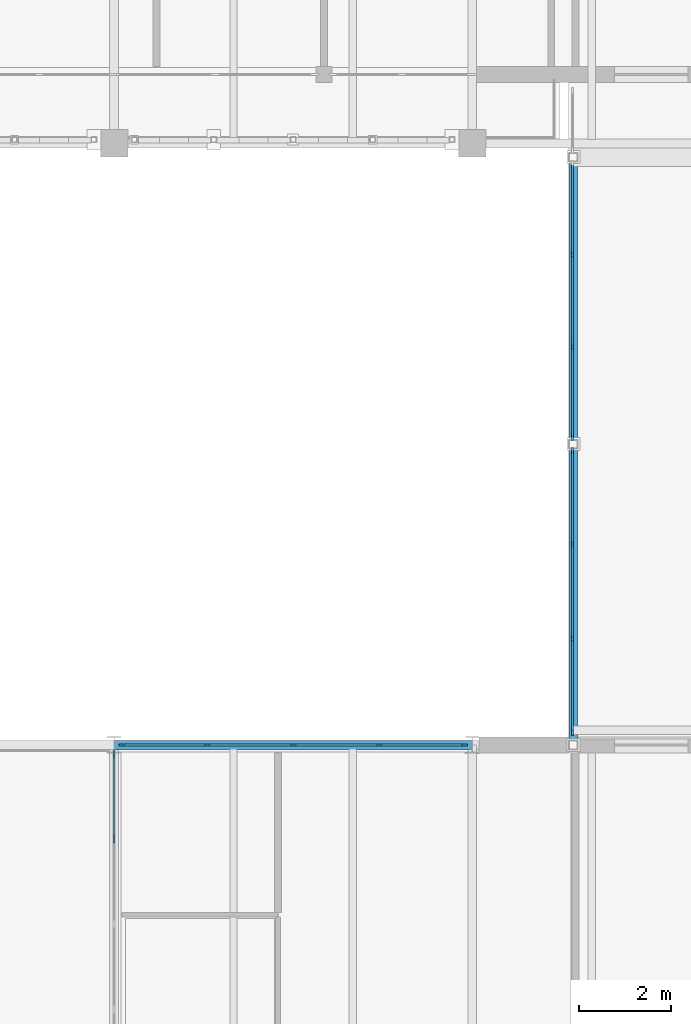
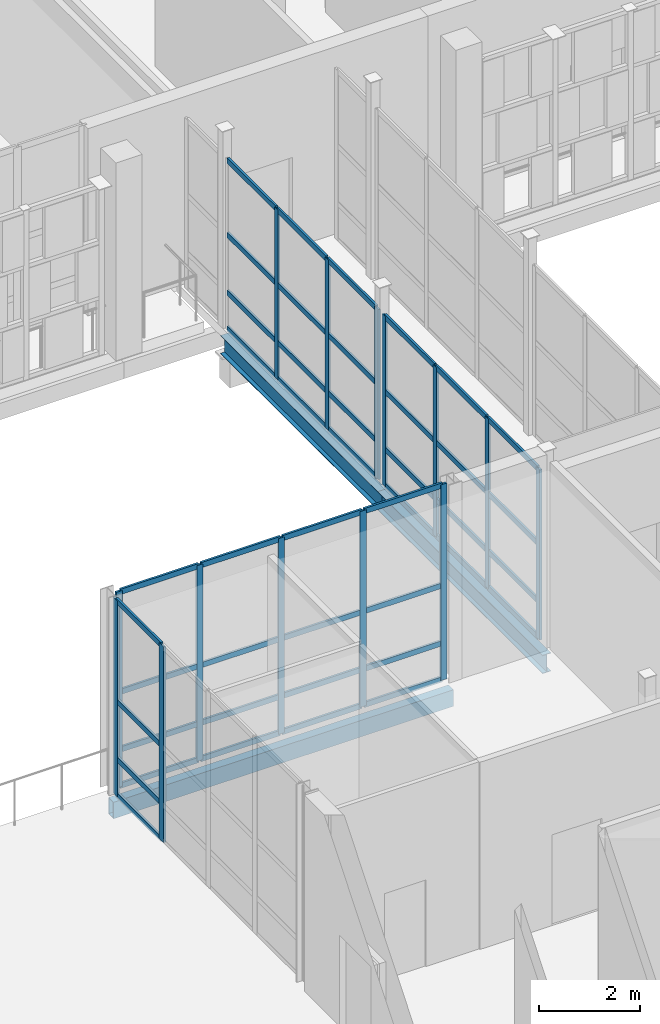
# One storey, part 67 of 138: 58 members, 3 beams, 4 elements without a shape of their own.
"""IFC4 building model written with IfcOpenShell, lengths in metres."""

from ifc_helpers import new_model, si_unit, direction, frame, origin, origin_2d, place, context, subcontext, project, spatial, rectangle, hollow_rectangle, i_section, extrude, material, layer, layer_set, material_profile, profile_set, type_object, element, aggregate, save


model = new_model("IFC4")

# Units and contexts
model_context = context("Model", 3, precision=1e-05, world=origin(), true_north=direction((0.0, 1.0)))
body_context = subcontext(model_context, "Body", "Model", "MODEL_VIEW")
ifc_project = project(units=[si_unit("LENGTHUNIT", "METRE"), si_unit("AREAUNIT", "SQUARE_METRE"), si_unit("VOLUMEUNIT", "CUBIC_METRE"), si_unit("PLANEANGLEUNIT", "RADIAN"), si_unit("MASSUNIT", "GRAM", prefix="KILO")], contexts=[model_context])

# Site, building, storey
site_placement = place(None, origin())
site = spatial("IfcSite", under=ifc_project, at=site_placement, CompositionType="ELEMENT")
building_placement = place(site_placement, origin())
building = spatial("IfcBuilding", under=site, at=building_placement, Name="Celorna Specialist Clinic", CompositionType="ELEMENT")
storey_placement = place(building_placement, frame((0.0, 0.0, 4.800048828125)))
storey = spatial("IfcBuildingStorey", under=building, at=storey_placement, Name="L01", CompositionType="ELEMENT", Elevation=4.800048828125)

# Beams
ifc_material_1 = material(Name="Steel S355", Category="steel")
ifc_material_profile_1 = material_profile(ifc_material_1, i_section(OverallWidth=0.18994140625, OverallDepth=0.449951171875, WebThickness=0.009521484375, FlangeThickness=0.0146484375, at=origin_2d()), Name="IPE 450")
ifc_profile_set_1 = profile_set([ifc_material_profile_1], Name="Steel S355")
beam_type_1 = type_object("IfcBeamType", Name="BM-09", PredefinedType="BEAM", material=ifc_profile_set_1)
beam_1_placement = place(storey_placement, frame((142.60009765625, 83.39990234375, -0.445068359375), z_axis=(0.0, 1.0, 0.0), x_axis=(-1.0, 0.0, 0.0)))
element("IfcBeam", 1, at=beam_1_placement, inside=storey, type_object=beam_type_1, Name="Bridge BR-05 edge girder BM-09 #116", PredefinedType="BEAM", context=body_context, shape_type="SweptSolid", body=[
    extrude(i_section(OverallWidth=0.18994140625, OverallDepth=0.449951171875, WebThickness=0.009521484375, FlangeThickness=0.0146484375, at=origin_2d()), origin(), (0.0, 0.0, 1.0), 6.550048828125),
])
beam_2_placement = place(storey_placement, frame((142.60009765625, 89.949951171875, -0.445068359375), z_axis=(0.0, 1.0, 0.0), x_axis=(-1.0, 0.0, 0.0)))
element("IfcBeam", 2, at=beam_2_placement, inside=storey, type_object=beam_type_1, Name="Bridge BR-05 edge girder BM-09 #117", PredefinedType="BEAM", context=body_context, shape_type="SweptSolid", body=[
    extrude(i_section(OverallWidth=0.18994140625, OverallDepth=0.449951171875, WebThickness=0.009521484375, FlangeThickness=0.0146484375, at=origin_2d()), origin(), (0.0, 0.0, 1.0), 6.25),
])
ifc_material_profile_2 = material_profile(ifc_material_1, hollow_rectangle(XDim=0.199951171875, YDim=0.39990234375, WallThickness=0.011962890625, at=origin_2d()), Name="RHS 200x400x12")
ifc_profile_set_2 = profile_set([ifc_material_profile_2], Name="Steel S355")
beam_type_2 = type_object("IfcBeamType", Name="BM-15", PredefinedType="SPANDREL", material=ifc_profile_set_2)
beam_3_placement = place(storey_placement, frame((132.60009765625, 83.39990234375, -0.4599609375), z_axis=(1.0, 0.0, 0.0), x_axis=(0.0, 1.0, 0.0)))
element("IfcBeam", 3, at=beam_3_placement, inside=storey, type_object=beam_type_2, Name="Spandrel beam BM-15 #624", PredefinedType="SPANDREL", context=body_context, shape_type="SweptSolid", body=[
    extrude(hollow_rectangle(XDim=0.199951171875, YDim=0.39990234375, WallThickness=0.011962890625, at=origin_2d()), origin(), (0.0, 0.0, 1.0), 7.7998046875),
])

# Curtain wall, members
ifc_material_2 = material(Name="Thermally broken aluminium and solar-control glass curtain wall", Category="aluminium")
ifc_layer_1 = layer(ifc_material_2, 0.159912109375, Name="Thermally broken aluminium and solar-control glass curtain wall")
ifc_layer_set_1 = layer_set([ifc_layer_1], Name="Thermally broken aluminium and solar-control glass curtain wall")
curtain_wall_type_1 = type_object("IfcCurtainWallType", Name="CW-45", PredefinedType="NOTDEFINED", material=ifc_layer_set_1)
curtain_wall_1_placement = place(storey_placement, origin())
curtain_wall_1 = element("IfcCurtainWall", 4, at=curtain_wall_1_placement, inside=storey, type_object=curtain_wall_type_1, Name="Curtain wall CW-45 #85", PredefinedType="NOTDEFINED")
ifc_material_3 = material(Name="Anodized aluminium mullion", Category="aluminium")
ifc_material_profile_3 = material_profile(ifc_material_3, rectangle(XDim=0.050048828125, YDim=0.179931640625, at=origin_2d()), Name="ALU MULLION 50x180")
ifc_profile_set_3 = profile_set([ifc_material_profile_3], Name="Anodized aluminium mullion")
member_type_1 = type_object("IfcMemberType", Name="ML-02", PredefinedType="MULLION", material=ifc_profile_set_3)
member_1_placement = place(storey_placement, frame((132.60009765625, 81.35791015625, 0.0), z_axis=(0.0, 0.0, 1.0), x_axis=(-1.0, 0.0, 0.0)))
member_1 = element("IfcMember", 5, at=member_1_placement, type_object=member_type_1, Name="CW-45 mullion 4", PredefinedType="MULLION", context=body_context, shape_type="SweptSolid", body=[
    extrude(rectangle(XDim=0.050048828125, YDim=0.179931640625, at=origin_2d()), origin(), (0.0, 0.0, 1.0), 4.75),
])
member_2_placement = place(storey_placement, frame((132.60009765625, 83.19091796875, 0.0), z_axis=(0.0, 0.0, 1.0), x_axis=(-1.0, 0.0, 0.0)))
member_2 = element("IfcMember", 6, at=member_2_placement, type_object=member_type_1, Name="CW-45 mullion 5", PredefinedType="MULLION", context=body_context, shape_type="SweptSolid", body=[
    extrude(rectangle(XDim=0.050048828125, YDim=0.179931640625, at=origin_2d()), origin(), (0.0, 0.0, 1.0), 4.75),
])

ifc_layer_2 = layer(ifc_material_2, 0.159912109375, Name="Thermally broken aluminium and solar-control glass curtain wall")
ifc_layer_set_2 = layer_set([ifc_layer_2], Name="Thermally broken aluminium and solar-control glass curtain wall")
curtain_wall_type_2 = type_object("IfcCurtainWallType", Name="CW-40", PredefinedType="NOTDEFINED", material=ifc_layer_set_2)
curtain_wall_2_placement = place(storey_placement, origin())
curtain_wall_2 = element("IfcCurtainWall", 7, at=curtain_wall_2_placement, inside=storey, type_object=curtain_wall_type_2, Name="Curtain wall CW-40 #80", PredefinedType="NOTDEFINED")
ifc_material_profile_4 = material_profile(ifc_material_3, rectangle(XDim=0.050048828125, YDim=0.139892578125, at=origin_2d()), Name="ALU MULLION 50x140")
ifc_profile_set_4 = profile_set([ifc_material_profile_4], Name="Anodized aluminium mullion")
member_type_2 = type_object("IfcMemberType", Name="ML-03", PredefinedType="MULLION", material=ifc_profile_set_4)
member_3_placement = place(storey_placement, frame((132.779052734375, 83.39990234375, 0.0), z_axis=(0.0, 0.0, 1.0), x_axis=(0.0, 1.0, 0.0)))
member_3 = element("IfcMember", 8, at=member_3_placement, type_object=member_type_2, Name="CW-40 mullion 1", PredefinedType="MULLION", context=body_context, shape_type="SweptSolid", body=[
    extrude(rectangle(XDim=0.050048828125, YDim=0.139892578125, at=origin_2d()), origin(), (0.0, 0.0, 1.0), 4.75),
])
member_4_placement = place(storey_placement, frame((134.626953125, 83.39990234375, 0.0), z_axis=(0.0, 0.0, 1.0), x_axis=(0.0, 1.0, 0.0)))
member_4 = element("IfcMember", 9, at=member_4_placement, type_object=member_type_2, Name="CW-40 mullion 2", PredefinedType="MULLION", context=body_context, shape_type="SweptSolid", body=[
    extrude(rectangle(XDim=0.050048828125, YDim=0.139892578125, at=origin_2d()), origin(), (0.0, 0.0, 1.0), 4.75),
])
member_5_placement = place(storey_placement, frame((136.5, 83.39990234375, 0.0), z_axis=(0.0, 0.0, 1.0), x_axis=(0.0, 1.0, 0.0)))
member_5 = element("IfcMember", 10, at=member_5_placement, type_object=member_type_2, Name="CW-40 mullion 3", PredefinedType="MULLION", context=body_context, shape_type="SweptSolid", body=[
    extrude(rectangle(XDim=0.050048828125, YDim=0.139892578125, at=origin_2d()), origin(), (0.0, 0.0, 1.0), 4.75),
])
member_6_placement = place(storey_placement, frame((138.373046875, 83.39990234375, 0.0), z_axis=(0.0, 0.0, 1.0), x_axis=(0.0, 1.0, 0.0)))
member_6 = element("IfcMember", 11, at=member_6_placement, type_object=member_type_2, Name="CW-40 mullion 4", PredefinedType="MULLION", context=body_context, shape_type="SweptSolid", body=[
    extrude(rectangle(XDim=0.050048828125, YDim=0.139892578125, at=origin_2d()), origin(), (0.0, 0.0, 1.0), 4.75),
])
member_7_placement = place(storey_placement, frame((140.220947265625, 83.39990234375, 0.0), z_axis=(0.0, 0.0, 1.0), x_axis=(0.0, 1.0, 0.0)))
member_7 = element("IfcMember", 12, at=member_7_placement, type_object=member_type_2, Name="CW-40 mullion 5", PredefinedType="MULLION", context=body_context, shape_type="SweptSolid", body=[
    extrude(rectangle(XDim=0.050048828125, YDim=0.139892578125, at=origin_2d()), origin(), (0.0, 0.0, 1.0), 4.75),
])

ifc_layer_3 = layer(ifc_material_2, 0.159912109375, Name="Thermally broken aluminium and solar-control glass curtain wall")
ifc_layer_set_3 = layer_set([ifc_layer_3], Name="Thermally broken aluminium and solar-control glass curtain wall")
curtain_wall_type_3 = type_object("IfcCurtainWallType", Name="CW-116", PredefinedType="NOTDEFINED", material=ifc_layer_set_3)
curtain_wall_3_placement = place(storey_placement, origin())
curtain_wall_3 = element("IfcCurtainWall", 13, at=curtain_wall_3_placement, inside=storey, type_object=curtain_wall_type_3, Name="Curtain wall CW-116 #220", PredefinedType="NOTDEFINED")
member_8_placement = place(storey_placement, frame((142.580078125, 83.675048828125, 0.0), z_axis=(0.0, 0.0, 1.0), x_axis=(-1.0, 0.0, 0.0)))
member_8 = element("IfcMember", 14, at=member_8_placement, type_object=member_type_2, Name="CW-116 mullion 1", PredefinedType="MULLION", context=body_context, shape_type="SweptSolid", body=[
    extrude(rectangle(XDim=0.050048828125, YDim=0.139892578125, at=origin_2d()), origin(), (0.0, 0.0, 1.0), 4.1298828125),
])
member_9_placement = place(storey_placement, frame((142.580078125, 85.7099609375, 0.0), z_axis=(0.0, 0.0, 1.0), x_axis=(-1.0, 0.0, 0.0)))
member_9 = element("IfcMember", 15, at=member_9_placement, type_object=member_type_2, Name="CW-116 mullion 2", PredefinedType="MULLION", context=body_context, shape_type="SweptSolid", body=[
    extrude(rectangle(XDim=0.050048828125, YDim=0.139892578125, at=origin_2d()), origin(), (0.0, 0.0, 1.0), 4.1298828125),
])
member_10_placement = place(storey_placement, frame((142.580078125, 87.77001953125, 0.0), z_axis=(0.0, 0.0, 1.0), x_axis=(-1.0, 0.0, 0.0)))
member_10 = element("IfcMember", 16, at=member_10_placement, type_object=member_type_2, Name="CW-116 mullion 3", PredefinedType="MULLION", context=body_context, shape_type="SweptSolid", body=[
    extrude(rectangle(XDim=0.050048828125, YDim=0.139892578125, at=origin_2d()), origin(), (0.0, 0.0, 1.0), 4.1298828125),
])
member_11_placement = place(storey_placement, frame((142.580078125, 89.804931640625, 0.0), z_axis=(0.0, 0.0, 1.0), x_axis=(-1.0, 0.0, 0.0)))
member_11 = element("IfcMember", 17, at=member_11_placement, type_object=member_type_2, Name="CW-116 mullion 4", PredefinedType="MULLION", context=body_context, shape_type="SweptSolid", body=[
    extrude(rectangle(XDim=0.050048828125, YDim=0.139892578125, at=origin_2d()), origin(), (0.0, 0.0, 1.0), 4.1298828125),
])

ifc_layer_4 = layer(ifc_material_2, 0.159912109375, Name="Thermally broken aluminium and solar-control glass curtain wall")
ifc_layer_set_4 = layer_set([ifc_layer_4], Name="Thermally broken aluminium and solar-control glass curtain wall")
curtain_wall_type_4 = type_object("IfcCurtainWallType", Name="CW-117", PredefinedType="NOTDEFINED", material=ifc_layer_set_4)
curtain_wall_4_placement = place(storey_placement, origin())
curtain_wall_4 = element("IfcCurtainWall", 18, at=curtain_wall_4_placement, inside=storey, type_object=curtain_wall_type_4, Name="Curtain wall CW-117 #221", PredefinedType="NOTDEFINED")
member_12_placement = place(storey_placement, frame((142.580078125, 90.094970703125, 0.0), z_axis=(0.0, 0.0, 1.0), x_axis=(-1.0, 0.0, 0.0)))
member_12 = element("IfcMember", 19, at=member_12_placement, type_object=member_type_2, Name="CW-117 mullion 1", PredefinedType="MULLION", context=body_context, shape_type="SweptSolid", body=[
    extrude(rectangle(XDim=0.050048828125, YDim=0.139892578125, at=origin_2d()), origin(), (0.0, 0.0, 1.0), 4.1298828125),
])
member_13_placement = place(storey_placement, frame((142.580078125, 92.0732421875, 0.0), z_axis=(0.0, 0.0, 1.0), x_axis=(-1.0, 0.0, 0.0)))
member_13 = element("IfcMember", 20, at=member_13_placement, type_object=member_type_2, Name="CW-117 mullion 2", PredefinedType="MULLION", context=body_context, shape_type="SweptSolid", body=[
    extrude(rectangle(XDim=0.050048828125, YDim=0.139892578125, at=origin_2d()), origin(), (0.0, 0.0, 1.0), 4.1298828125),
])
member_14_placement = place(storey_placement, frame((142.580078125, 94.07666015625, 0.0), z_axis=(0.0, 0.0, 1.0), x_axis=(-1.0, 0.0, 0.0)))
member_14 = element("IfcMember", 21, at=member_14_placement, type_object=member_type_2, Name="CW-117 mullion 3", PredefinedType="MULLION", context=body_context, shape_type="SweptSolid", body=[
    extrude(rectangle(XDim=0.050048828125, YDim=0.139892578125, at=origin_2d()), origin(), (0.0, 0.0, 1.0), 4.1298828125),
])

# Member
ifc_material_4 = material(Name="Anodized aluminium transom", Category="aluminium")
ifc_material_profile_5 = material_profile(ifc_material_4, rectangle(XDim=0.050048828125, YDim=0.1298828125, at=origin_2d()), Name="ALU TRANSOM 50x130")
ifc_profile_set_5 = profile_set([ifc_material_profile_5], Name="Anodized aluminium transom")
member_type_3 = type_object("IfcMemberType", Name="TR-01", PredefinedType="USERDEFINED", material=ifc_profile_set_5)
member_15_placement = place(storey_placement, frame((132.803955078125, 83.39990234375, 0.02490234375), z_axis=(1.0, 0.0, 0.0), x_axis=(0.0, 1.0, 0.0)))
member_15 = element("IfcMember", 22, at=member_15_placement, type_object=member_type_3, Name="CW-40 transom 1.1", ObjectType="TRANSOM", PredefinedType="USERDEFINED", context=body_context, shape_type="SweptSolid", body=[
    extrude(rectangle(XDim=0.050048828125, YDim=0.1298828125, at=origin_2d()), origin(), (0.0, 0.0, 1.0), 1.798095703125),
])

member_16_placement = place(storey_placement, frame((132.803955078125, 83.39990234375, 0.89990234375), z_axis=(1.0, 0.0, 0.0), x_axis=(0.0, 1.0, 0.0)))
member_16 = element("IfcMember", 23, at=member_16_placement, type_object=member_type_3, Name="CW-40 transom 1.2", ObjectType="TRANSOM", PredefinedType="USERDEFINED", context=body_context, shape_type="SweptSolid", body=[
    extrude(rectangle(XDim=0.050048828125, YDim=0.1298828125, at=origin_2d()), origin(), (0.0, 0.0, 1.0), 1.798095703125),
])

member_17_placement = place(storey_placement, frame((132.803955078125, 83.39990234375, 2.300048828125), z_axis=(1.0, 0.0, 0.0), x_axis=(0.0, 1.0, 0.0)))
member_17 = element("IfcMember", 24, at=member_17_placement, type_object=member_type_3, Name="CW-40 transom 1.3", ObjectType="TRANSOM", PredefinedType="USERDEFINED", context=body_context, shape_type="SweptSolid", body=[
    extrude(rectangle(XDim=0.050048828125, YDim=0.1298828125, at=origin_2d()), origin(), (0.0, 0.0, 1.0), 1.798095703125),
])

member_18_placement = place(storey_placement, frame((132.803955078125, 83.39990234375, 4.724853515625), z_axis=(1.0, 0.0, 0.0), x_axis=(0.0, 1.0, 0.0)))
member_18 = element("IfcMember", 25, at=member_18_placement, type_object=member_type_3, Name="CW-40 transom 1.4", ObjectType="TRANSOM", PredefinedType="USERDEFINED", context=body_context, shape_type="SweptSolid", body=[
    extrude(rectangle(XDim=0.050048828125, YDim=0.1298828125, at=origin_2d()), origin(), (0.0, 0.0, 1.0), 1.798095703125),
])

member_19_placement = place(storey_placement, frame((134.652099609375, 83.39990234375, 0.02490234375), z_axis=(1.0, 0.0, 0.0), x_axis=(0.0, 1.0, 0.0)))
member_19 = element("IfcMember", 26, at=member_19_placement, type_object=member_type_3, Name="CW-40 transom 2.1", ObjectType="TRANSOM", PredefinedType="USERDEFINED", context=body_context, shape_type="SweptSolid", body=[
    extrude(rectangle(XDim=0.050048828125, YDim=0.1298828125, at=origin_2d()), origin(), (0.0, 0.0, 1.0), 1.822998046875),
])

member_20_placement = place(storey_placement, frame((134.652099609375, 83.39990234375, 0.89990234375), z_axis=(1.0, 0.0, 0.0), x_axis=(0.0, 1.0, 0.0)))
member_20 = element("IfcMember", 27, at=member_20_placement, type_object=member_type_3, Name="CW-40 transom 2.2", ObjectType="TRANSOM", PredefinedType="USERDEFINED", context=body_context, shape_type="SweptSolid", body=[
    extrude(rectangle(XDim=0.050048828125, YDim=0.1298828125, at=origin_2d()), origin(), (0.0, 0.0, 1.0), 1.822998046875),
])

member_21_placement = place(storey_placement, frame((134.652099609375, 83.39990234375, 2.300048828125), z_axis=(1.0, 0.0, 0.0), x_axis=(0.0, 1.0, 0.0)))
member_21 = element("IfcMember", 28, at=member_21_placement, type_object=member_type_3, Name="CW-40 transom 2.3", ObjectType="TRANSOM", PredefinedType="USERDEFINED", context=body_context, shape_type="SweptSolid", body=[
    extrude(rectangle(XDim=0.050048828125, YDim=0.1298828125, at=origin_2d()), origin(), (0.0, 0.0, 1.0), 1.822998046875),
])

member_22_placement = place(storey_placement, frame((134.652099609375, 83.39990234375, 4.724853515625), z_axis=(1.0, 0.0, 0.0), x_axis=(0.0, 1.0, 0.0)))
member_22 = element("IfcMember", 29, at=member_22_placement, type_object=member_type_3, Name="CW-40 transom 2.4", ObjectType="TRANSOM", PredefinedType="USERDEFINED", context=body_context, shape_type="SweptSolid", body=[
    extrude(rectangle(XDim=0.050048828125, YDim=0.1298828125, at=origin_2d()), origin(), (0.0, 0.0, 1.0), 1.822998046875),
])

member_23_placement = place(storey_placement, frame((136.52490234375, 83.39990234375, 0.02490234375), z_axis=(1.0, 0.0, 0.0), x_axis=(0.0, 1.0, 0.0)))
member_23 = element("IfcMember", 30, at=member_23_placement, type_object=member_type_3, Name="CW-40 transom 3.1", ObjectType="TRANSOM", PredefinedType="USERDEFINED", context=body_context, shape_type="SweptSolid", body=[
    extrude(rectangle(XDim=0.050048828125, YDim=0.1298828125, at=origin_2d()), origin(), (0.0, 0.0, 1.0), 1.822998046875),
])

member_24_placement = place(storey_placement, frame((136.52490234375, 83.39990234375, 0.89990234375), z_axis=(1.0, 0.0, 0.0), x_axis=(0.0, 1.0, 0.0)))
member_24 = element("IfcMember", 31, at=member_24_placement, type_object=member_type_3, Name="CW-40 transom 3.2", ObjectType="TRANSOM", PredefinedType="USERDEFINED", context=body_context, shape_type="SweptSolid", body=[
    extrude(rectangle(XDim=0.050048828125, YDim=0.1298828125, at=origin_2d()), origin(), (0.0, 0.0, 1.0), 1.822998046875),
])

member_25_placement = place(storey_placement, frame((136.52490234375, 83.39990234375, 2.300048828125), z_axis=(1.0, 0.0, 0.0), x_axis=(0.0, 1.0, 0.0)))
member_25 = element("IfcMember", 32, at=member_25_placement, type_object=member_type_3, Name="CW-40 transom 3.3", ObjectType="TRANSOM", PredefinedType="USERDEFINED", context=body_context, shape_type="SweptSolid", body=[
    extrude(rectangle(XDim=0.050048828125, YDim=0.1298828125, at=origin_2d()), origin(), (0.0, 0.0, 1.0), 1.822998046875),
])

member_26_placement = place(storey_placement, frame((136.52490234375, 83.39990234375, 4.724853515625), z_axis=(1.0, 0.0, 0.0), x_axis=(0.0, 1.0, 0.0)))
member_26 = element("IfcMember", 33, at=member_26_placement, type_object=member_type_3, Name="CW-40 transom 3.4", ObjectType="TRANSOM", PredefinedType="USERDEFINED", context=body_context, shape_type="SweptSolid", body=[
    extrude(rectangle(XDim=0.050048828125, YDim=0.1298828125, at=origin_2d()), origin(), (0.0, 0.0, 1.0), 1.822998046875),
])

member_27_placement = place(storey_placement, frame((138.39794921875, 83.39990234375, 0.02490234375), z_axis=(1.0, 0.0, 0.0), x_axis=(0.0, 1.0, 0.0)))
member_27 = element("IfcMember", 34, at=member_27_placement, type_object=member_type_3, Name="CW-40 transom 4.1", ObjectType="TRANSOM", PredefinedType="USERDEFINED", context=body_context, shape_type="SweptSolid", body=[
    extrude(rectangle(XDim=0.050048828125, YDim=0.1298828125, at=origin_2d()), origin(), (0.0, 0.0, 1.0), 1.798095703125),
])

member_28_placement = place(storey_placement, frame((138.39794921875, 83.39990234375, 0.89990234375), z_axis=(1.0, 0.0, 0.0), x_axis=(0.0, 1.0, 0.0)))
member_28 = element("IfcMember", 35, at=member_28_placement, type_object=member_type_3, Name="CW-40 transom 4.2", ObjectType="TRANSOM", PredefinedType="USERDEFINED", context=body_context, shape_type="SweptSolid", body=[
    extrude(rectangle(XDim=0.050048828125, YDim=0.1298828125, at=origin_2d()), origin(), (0.0, 0.0, 1.0), 1.798095703125),
])

member_29_placement = place(storey_placement, frame((138.39794921875, 83.39990234375, 2.300048828125), z_axis=(1.0, 0.0, 0.0), x_axis=(0.0, 1.0, 0.0)))
member_29 = element("IfcMember", 36, at=member_29_placement, type_object=member_type_3, Name="CW-40 transom 4.3", ObjectType="TRANSOM", PredefinedType="USERDEFINED", context=body_context, shape_type="SweptSolid", body=[
    extrude(rectangle(XDim=0.050048828125, YDim=0.1298828125, at=origin_2d()), origin(), (0.0, 0.0, 1.0), 1.798095703125),
])

member_30_placement = place(storey_placement, frame((138.39794921875, 83.39990234375, 4.724853515625), z_axis=(1.0, 0.0, 0.0), x_axis=(0.0, 1.0, 0.0)))
member_30 = element("IfcMember", 37, at=member_30_placement, type_object=member_type_3, Name="CW-40 transom 4.4", ObjectType="TRANSOM", PredefinedType="USERDEFINED", context=body_context, shape_type="SweptSolid", body=[
    extrude(rectangle(XDim=0.050048828125, YDim=0.1298828125, at=origin_2d()), origin(), (0.0, 0.0, 1.0), 1.798095703125),
])

aggregate(curtain_wall_2, [member_3, member_4, member_5, member_6, member_7, member_15, member_16, member_17, member_18, member_19, member_20, member_21, member_22, member_23, member_24, member_25, member_26, member_27, member_28, member_29, member_30])

member_31_placement = place(storey_placement, frame((132.60009765625, 81.383056640625, 0.02490234375), z_axis=(0.0, 1.0, 0.0), x_axis=(-1.0, 0.0, 0.0)))
member_31 = element("IfcMember", 38, at=member_31_placement, type_object=member_type_3, Name="CW-45 transom 4.1", ObjectType="TRANSOM", PredefinedType="USERDEFINED", context=body_context, shape_type="SweptSolid", body=[
    extrude(rectangle(XDim=0.050048828125, YDim=0.1298828125, at=origin_2d()), origin(), (0.0, 0.0, 1.0), 1.782958984375),
])

member_32_placement = place(storey_placement, frame((132.60009765625, 81.383056640625, 0.89990234375), z_axis=(0.0, 1.0, 0.0), x_axis=(-1.0, 0.0, 0.0)))
member_32 = element("IfcMember", 39, at=member_32_placement, type_object=member_type_3, Name="CW-45 transom 4.2", ObjectType="TRANSOM", PredefinedType="USERDEFINED", context=body_context, shape_type="SweptSolid", body=[
    extrude(rectangle(XDim=0.050048828125, YDim=0.1298828125, at=origin_2d()), origin(), (0.0, 0.0, 1.0), 1.782958984375),
])

member_33_placement = place(storey_placement, frame((132.60009765625, 81.383056640625, 2.300048828125), z_axis=(0.0, 1.0, 0.0), x_axis=(-1.0, 0.0, 0.0)))
member_33 = element("IfcMember", 40, at=member_33_placement, type_object=member_type_3, Name="CW-45 transom 4.3", ObjectType="TRANSOM", PredefinedType="USERDEFINED", context=body_context, shape_type="SweptSolid", body=[
    extrude(rectangle(XDim=0.050048828125, YDim=0.1298828125, at=origin_2d()), origin(), (0.0, 0.0, 1.0), 1.782958984375),
])

member_34_placement = place(storey_placement, frame((132.60009765625, 81.383056640625, 4.724853515625), z_axis=(0.0, 1.0, 0.0), x_axis=(-1.0, 0.0, 0.0)))
member_34 = element("IfcMember", 41, at=member_34_placement, type_object=member_type_3, Name="CW-45 transom 4.4", ObjectType="TRANSOM", PredefinedType="USERDEFINED", context=body_context, shape_type="SweptSolid", body=[
    extrude(rectangle(XDim=0.050048828125, YDim=0.1298828125, at=origin_2d()), origin(), (0.0, 0.0, 1.0), 1.782958984375),
])

aggregate(curtain_wall_1, [member_1, member_2, member_31, member_32, member_33, member_34])

member_35_placement = place(storey_placement, frame((142.580078125, 83.699951171875, 0.02490234375), z_axis=(0.0, 1.0, 0.0), x_axis=(-1.0, 0.0, 0.0)))
member_35 = element("IfcMember", 42, at=member_35_placement, type_object=member_type_3, Name="CW-116 transom 1.1", ObjectType="TRANSOM", PredefinedType="USERDEFINED", context=body_context, shape_type="SweptSolid", body=[
    extrude(rectangle(XDim=0.050048828125, YDim=0.1298828125, at=origin_2d()), origin(), (0.0, 0.0, 1.0), 1.985107421875),
])

member_36_placement = place(storey_placement, frame((142.580078125, 83.699951171875, 0.89990234375), z_axis=(0.0, 1.0, 0.0), x_axis=(-1.0, 0.0, 0.0)))
member_36 = element("IfcMember", 43, at=member_36_placement, type_object=member_type_3, Name="CW-116 transom 1.2", ObjectType="TRANSOM", PredefinedType="USERDEFINED", context=body_context, shape_type="SweptSolid", body=[
    extrude(rectangle(XDim=0.050048828125, YDim=0.1298828125, at=origin_2d()), origin(), (0.0, 0.0, 1.0), 1.985107421875),
])

member_37_placement = place(storey_placement, frame((142.580078125, 83.699951171875, 2.300048828125), z_axis=(0.0, 1.0, 0.0), x_axis=(-1.0, 0.0, 0.0)))
member_37 = element("IfcMember", 44, at=member_37_placement, type_object=member_type_3, Name="CW-116 transom 1.3", ObjectType="TRANSOM", PredefinedType="USERDEFINED", context=body_context, shape_type="SweptSolid", body=[
    extrude(rectangle(XDim=0.050048828125, YDim=0.1298828125, at=origin_2d()), origin(), (0.0, 0.0, 1.0), 1.985107421875),
])

member_38_placement = place(storey_placement, frame((142.580078125, 83.699951171875, 4.10498046875), z_axis=(0.0, 1.0, 0.0), x_axis=(-1.0, 0.0, 0.0)))
member_38 = element("IfcMember", 45, at=member_38_placement, type_object=member_type_3, Name="CW-116 transom 1.4", ObjectType="TRANSOM", PredefinedType="USERDEFINED", context=body_context, shape_type="SweptSolid", body=[
    extrude(rectangle(XDim=0.050048828125, YDim=0.1298828125, at=origin_2d()), origin(), (0.0, 0.0, 1.0), 1.985107421875),
])

member_39_placement = place(storey_placement, frame((142.580078125, 85.735107421875, 0.02490234375), z_axis=(0.0, 1.0, 0.0), x_axis=(-1.0, 0.0, 0.0)))
member_39 = element("IfcMember", 46, at=member_39_placement, type_object=member_type_3, Name="CW-116 transom 2.1", ObjectType="TRANSOM", PredefinedType="USERDEFINED", context=body_context, shape_type="SweptSolid", body=[
    extrude(rectangle(XDim=0.050048828125, YDim=0.1298828125, at=origin_2d()), origin(), (0.0, 0.0, 1.0), 2.010009765625),
])

member_40_placement = place(storey_placement, frame((142.580078125, 85.735107421875, 0.89990234375), z_axis=(0.0, 1.0, 0.0), x_axis=(-1.0, 0.0, 0.0)))
member_40 = element("IfcMember", 47, at=member_40_placement, type_object=member_type_3, Name="CW-116 transom 2.2", ObjectType="TRANSOM", PredefinedType="USERDEFINED", context=body_context, shape_type="SweptSolid", body=[
    extrude(rectangle(XDim=0.050048828125, YDim=0.1298828125, at=origin_2d()), origin(), (0.0, 0.0, 1.0), 2.010009765625),
])

member_41_placement = place(storey_placement, frame((142.580078125, 85.735107421875, 2.300048828125), z_axis=(0.0, 1.0, 0.0), x_axis=(-1.0, 0.0, 0.0)))
member_41 = element("IfcMember", 48, at=member_41_placement, type_object=member_type_3, Name="CW-116 transom 2.3", ObjectType="TRANSOM", PredefinedType="USERDEFINED", context=body_context, shape_type="SweptSolid", body=[
    extrude(rectangle(XDim=0.050048828125, YDim=0.1298828125, at=origin_2d()), origin(), (0.0, 0.0, 1.0), 2.010009765625),
])

member_42_placement = place(storey_placement, frame((142.580078125, 85.735107421875, 4.10498046875), z_axis=(0.0, 1.0, 0.0), x_axis=(-1.0, 0.0, 0.0)))
member_42 = element("IfcMember", 49, at=member_42_placement, type_object=member_type_3, Name="CW-116 transom 2.4", ObjectType="TRANSOM", PredefinedType="USERDEFINED", context=body_context, shape_type="SweptSolid", body=[
    extrude(rectangle(XDim=0.050048828125, YDim=0.1298828125, at=origin_2d()), origin(), (0.0, 0.0, 1.0), 2.010009765625),
])

member_43_placement = place(storey_placement, frame((142.580078125, 87.794921875, 0.02490234375), z_axis=(0.0, 1.0, 0.0), x_axis=(-1.0, 0.0, 0.0)))
member_43 = element("IfcMember", 50, at=member_43_placement, type_object=member_type_3, Name="CW-116 transom 3.1", ObjectType="TRANSOM", PredefinedType="USERDEFINED", context=body_context, shape_type="SweptSolid", body=[
    extrude(rectangle(XDim=0.050048828125, YDim=0.1298828125, at=origin_2d()), origin(), (0.0, 0.0, 1.0), 1.985107421875),
])

member_44_placement = place(storey_placement, frame((142.580078125, 87.794921875, 0.89990234375), z_axis=(0.0, 1.0, 0.0), x_axis=(-1.0, 0.0, 0.0)))
member_44 = element("IfcMember", 51, at=member_44_placement, type_object=member_type_3, Name="CW-116 transom 3.2", ObjectType="TRANSOM", PredefinedType="USERDEFINED", context=body_context, shape_type="SweptSolid", body=[
    extrude(rectangle(XDim=0.050048828125, YDim=0.1298828125, at=origin_2d()), origin(), (0.0, 0.0, 1.0), 1.985107421875),
])

member_45_placement = place(storey_placement, frame((142.580078125, 87.794921875, 2.300048828125), z_axis=(0.0, 1.0, 0.0), x_axis=(-1.0, 0.0, 0.0)))
member_45 = element("IfcMember", 52, at=member_45_placement, type_object=member_type_3, Name="CW-116 transom 3.3", ObjectType="TRANSOM", PredefinedType="USERDEFINED", context=body_context, shape_type="SweptSolid", body=[
    extrude(rectangle(XDim=0.050048828125, YDim=0.1298828125, at=origin_2d()), origin(), (0.0, 0.0, 1.0), 1.985107421875),
])

member_46_placement = place(storey_placement, frame((142.580078125, 87.794921875, 4.10498046875), z_axis=(0.0, 1.0, 0.0), x_axis=(-1.0, 0.0, 0.0)))
member_46 = element("IfcMember", 53, at=member_46_placement, type_object=member_type_3, Name="CW-116 transom 3.4", ObjectType="TRANSOM", PredefinedType="USERDEFINED", context=body_context, shape_type="SweptSolid", body=[
    extrude(rectangle(XDim=0.050048828125, YDim=0.1298828125, at=origin_2d()), origin(), (0.0, 0.0, 1.0), 1.985107421875),
])

aggregate(curtain_wall_3, [member_8, member_9, member_10, member_11, member_35, member_36, member_37, member_38, member_39, member_40, member_41, member_42, member_43, member_44, member_45, member_46])

member_47_placement = place(storey_placement, frame((142.580078125, 90.1201171875, 0.02490234375), z_axis=(0.0, 1.0, 0.0), x_axis=(-1.0, 0.0, 0.0)))
member_47 = element("IfcMember", 54, at=member_47_placement, type_object=member_type_3, Name="CW-117 transom 1.1", ObjectType="TRANSOM", PredefinedType="USERDEFINED", context=body_context, shape_type="SweptSolid", body=[
    extrude(rectangle(XDim=0.050048828125, YDim=0.1298828125, at=origin_2d()), origin(), (0.0, 0.0, 1.0), 1.92822265625),
])

member_48_placement = place(storey_placement, frame((142.580078125, 90.1201171875, 0.89990234375), z_axis=(0.0, 1.0, 0.0), x_axis=(-1.0, 0.0, 0.0)))
member_48 = element("IfcMember", 55, at=member_48_placement, type_object=member_type_3, Name="CW-117 transom 1.2", ObjectType="TRANSOM", PredefinedType="USERDEFINED", context=body_context, shape_type="SweptSolid", body=[
    extrude(rectangle(XDim=0.050048828125, YDim=0.1298828125, at=origin_2d()), origin(), (0.0, 0.0, 1.0), 1.92822265625),
])

member_49_placement = place(storey_placement, frame((142.580078125, 90.1201171875, 2.300048828125), z_axis=(0.0, 1.0, 0.0), x_axis=(-1.0, 0.0, 0.0)))
member_49 = element("IfcMember", 56, at=member_49_placement, type_object=member_type_3, Name="CW-117 transom 1.3", ObjectType="TRANSOM", PredefinedType="USERDEFINED", context=body_context, shape_type="SweptSolid", body=[
    extrude(rectangle(XDim=0.050048828125, YDim=0.1298828125, at=origin_2d()), origin(), (0.0, 0.0, 1.0), 1.92822265625),
])

member_50_placement = place(storey_placement, frame((142.580078125, 90.1201171875, 4.10498046875), z_axis=(0.0, 1.0, 0.0), x_axis=(-1.0, 0.0, 0.0)))
member_50 = element("IfcMember", 57, at=member_50_placement, type_object=member_type_3, Name="CW-117 transom 1.4", ObjectType="TRANSOM", PredefinedType="USERDEFINED", context=body_context, shape_type="SweptSolid", body=[
    extrude(rectangle(XDim=0.050048828125, YDim=0.1298828125, at=origin_2d()), origin(), (0.0, 0.0, 1.0), 1.92822265625),
])

member_51_placement = place(storey_placement, frame((142.580078125, 92.098388671875, 0.02490234375), z_axis=(0.0, 1.0, 0.0), x_axis=(-1.0, 0.0, 0.0)))
member_51 = element("IfcMember", 58, at=member_51_placement, type_object=member_type_3, Name="CW-117 transom 2.1", ObjectType="TRANSOM", PredefinedType="USERDEFINED", context=body_context, shape_type="SweptSolid", body=[
    extrude(rectangle(XDim=0.050048828125, YDim=0.1298828125, at=origin_2d()), origin(), (0.0, 0.0, 1.0), 1.953369140625),
])

member_52_placement = place(storey_placement, frame((142.580078125, 92.098388671875, 0.89990234375), z_axis=(0.0, 1.0, 0.0), x_axis=(-1.0, 0.0, 0.0)))
member_52 = element("IfcMember", 59, at=member_52_placement, type_object=member_type_3, Name="CW-117 transom 2.2", ObjectType="TRANSOM", PredefinedType="USERDEFINED", context=body_context, shape_type="SweptSolid", body=[
    extrude(rectangle(XDim=0.050048828125, YDim=0.1298828125, at=origin_2d()), origin(), (0.0, 0.0, 1.0), 1.953369140625),
])

member_53_placement = place(storey_placement, frame((142.580078125, 92.098388671875, 2.300048828125), z_axis=(0.0, 1.0, 0.0), x_axis=(-1.0, 0.0, 0.0)))
member_53 = element("IfcMember", 60, at=member_53_placement, type_object=member_type_3, Name="CW-117 transom 2.3", ObjectType="TRANSOM", PredefinedType="USERDEFINED", context=body_context, shape_type="SweptSolid", body=[
    extrude(rectangle(XDim=0.050048828125, YDim=0.1298828125, at=origin_2d()), origin(), (0.0, 0.0, 1.0), 1.953369140625),
])

member_54_placement = place(storey_placement, frame((142.580078125, 92.098388671875, 4.10498046875), z_axis=(0.0, 1.0, 0.0), x_axis=(-1.0, 0.0, 0.0)))
member_54 = element("IfcMember", 61, at=member_54_placement, type_object=member_type_3, Name="CW-117 transom 2.4", ObjectType="TRANSOM", PredefinedType="USERDEFINED", context=body_context, shape_type="SweptSolid", body=[
    extrude(rectangle(XDim=0.050048828125, YDim=0.1298828125, at=origin_2d()), origin(), (0.0, 0.0, 1.0), 1.953369140625),
])

member_55_placement = place(storey_placement, frame((142.580078125, 94.1015625, 0.02490234375), z_axis=(0.0, 1.0, 0.0), x_axis=(-1.0, 0.0, 0.0)))
member_55 = element("IfcMember", 62, at=member_55_placement, type_object=member_type_3, Name="CW-117 transom 3.1", ObjectType="TRANSOM", PredefinedType="USERDEFINED", context=body_context, shape_type="SweptSolid", body=[
    extrude(rectangle(XDim=0.050048828125, YDim=0.1298828125, at=origin_2d()), origin(), (0.0, 0.0, 1.0), 1.928466796875),
])

member_56_placement = place(storey_placement, frame((142.580078125, 94.1015625, 0.89990234375), z_axis=(0.0, 1.0, 0.0), x_axis=(-1.0, 0.0, 0.0)))
member_56 = element("IfcMember", 63, at=member_56_placement, type_object=member_type_3, Name="CW-117 transom 3.2", ObjectType="TRANSOM", PredefinedType="USERDEFINED", context=body_context, shape_type="SweptSolid", body=[
    extrude(rectangle(XDim=0.050048828125, YDim=0.1298828125, at=origin_2d()), origin(), (0.0, 0.0, 1.0), 1.928466796875),
])

member_57_placement = place(storey_placement, frame((142.580078125, 94.1015625, 2.300048828125), z_axis=(0.0, 1.0, 0.0), x_axis=(-1.0, 0.0, 0.0)))
member_57 = element("IfcMember", 64, at=member_57_placement, type_object=member_type_3, Name="CW-117 transom 3.3", ObjectType="TRANSOM", PredefinedType="USERDEFINED", context=body_context, shape_type="SweptSolid", body=[
    extrude(rectangle(XDim=0.050048828125, YDim=0.1298828125, at=origin_2d()), origin(), (0.0, 0.0, 1.0), 1.928466796875),
])

member_58_placement = place(storey_placement, frame((142.580078125, 94.1015625, 4.10498046875), z_axis=(0.0, 1.0, 0.0), x_axis=(-1.0, 0.0, 0.0)))
member_58 = element("IfcMember", 65, at=member_58_placement, type_object=member_type_3, Name="CW-117 transom 3.4", ObjectType="TRANSOM", PredefinedType="USERDEFINED", context=body_context, shape_type="SweptSolid", body=[
    extrude(rectangle(XDim=0.050048828125, YDim=0.1298828125, at=origin_2d()), origin(), (0.0, 0.0, 1.0), 1.928466796875),
])

aggregate(curtain_wall_4, [member_12, member_13, member_14, member_47, member_48, member_49, member_50, member_51, member_52, member_53, member_54, member_55, member_56, member_57, member_58])

save(model, "model.ifc")
